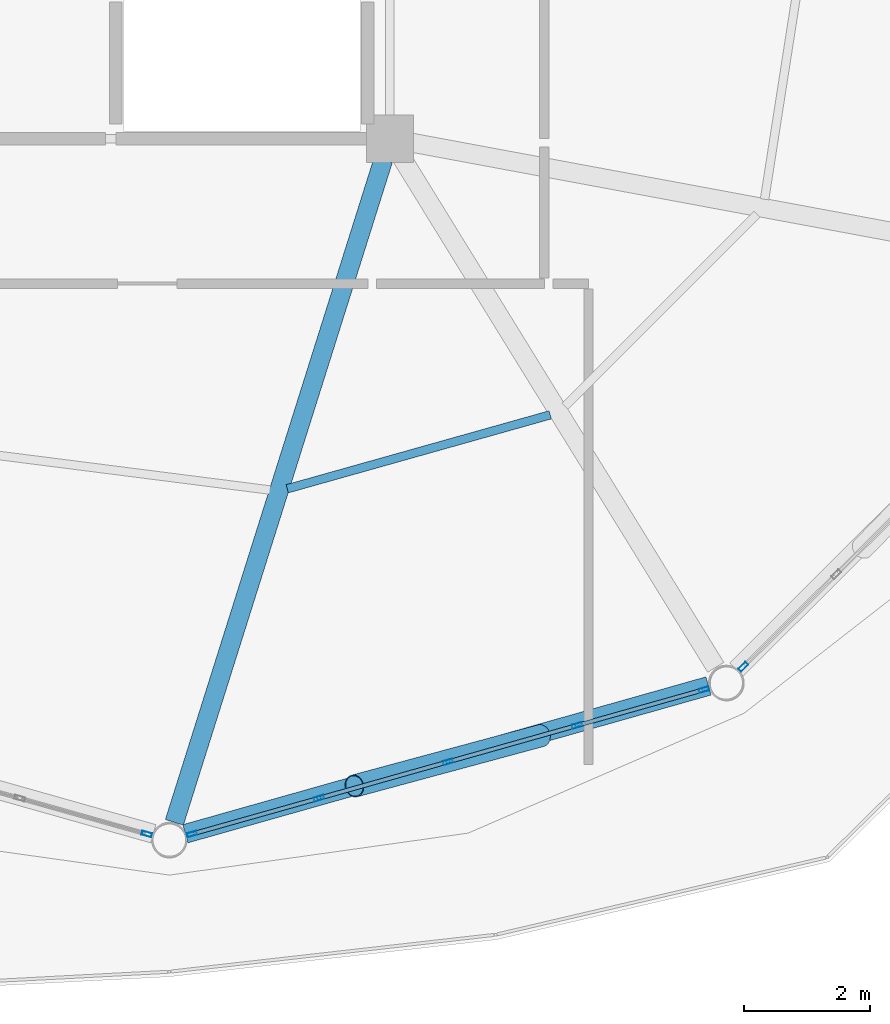
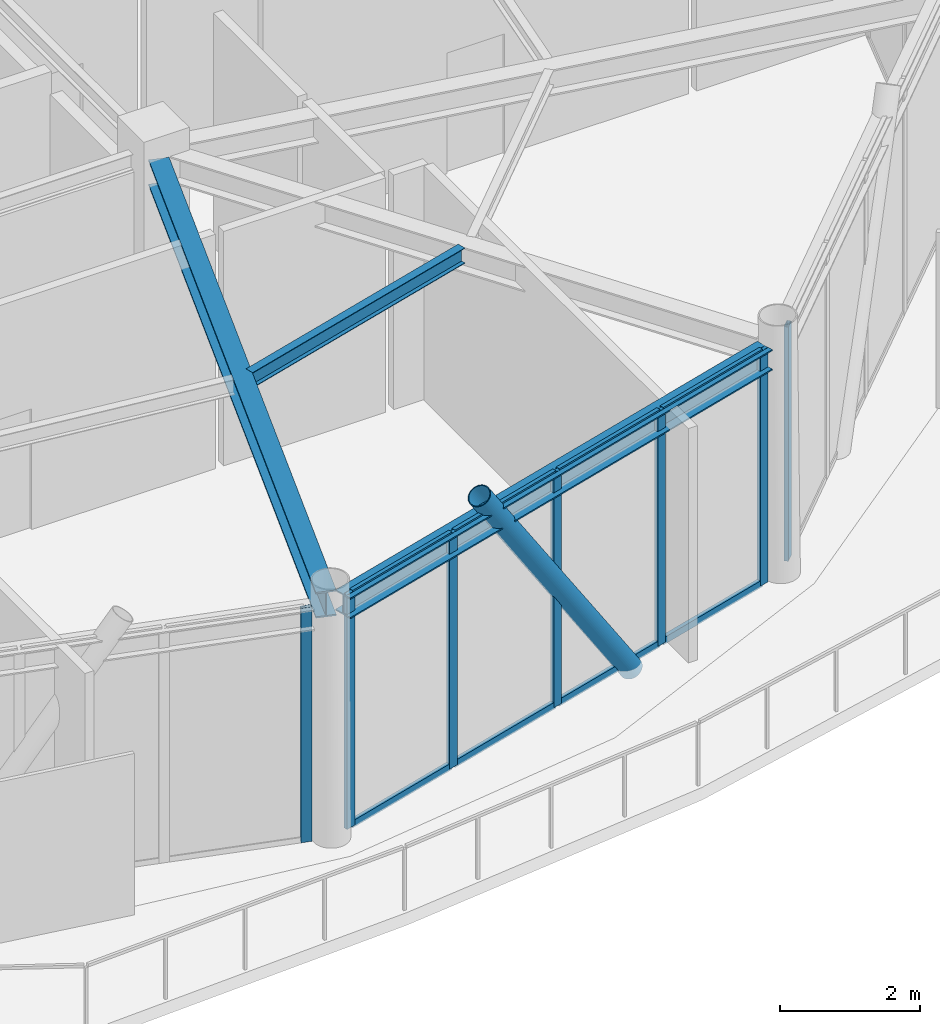
# One storey, part 6 of 24: 16 members, 3 beams, 3 elements without a shape of their own.
"""IFC4 building model written with IfcOpenShell, lengths in metres."""

from ifc_helpers import new_model, si_unit, direction, frame, origin, origin_2d, place, context, subcontext, project, spatial, hollow_rectangle, hollow_circle, i_section, extrude, material, layer, layer_set, material_profile, profile_set, type_object, element, aggregate, save


model = new_model("IFC4")

# Units and contexts
model_context = context("Model", 3, precision=1e-05, world=origin(), true_north=direction((0.0, 1.0)))
body_context = subcontext(model_context, "Body", "Model", "MODEL_VIEW")
ifc_project = project(units=[si_unit("LENGTHUNIT", "METRE"), si_unit("AREAUNIT", "SQUARE_METRE"), si_unit("VOLUMEUNIT", "CUBIC_METRE"), si_unit("PLANEANGLEUNIT", "RADIAN"), si_unit("MASSUNIT", "GRAM", prefix="KILO")], contexts=[model_context])

# Site, building, storey
site_placement = place(None, origin())
site = spatial("IfcSite", under=ifc_project, at=site_placement, CompositionType="ELEMENT")
building_placement = place(site_placement, origin())
building = spatial("IfcBuilding", under=site, at=building_placement, Name="Varnakorn Sky Granary", CompositionType="ELEMENT")
storey_placement = place(building_placement, frame((0.0, 0.0, 285.0)))
storey = spatial("IfcBuildingStorey", under=building, at=storey_placement, Name="L73", CompositionType="ELEMENT", Elevation=285.0)

# Beams
ifc_material_1 = material(Name="Steel S355JR", Category="steel")
ifc_material_profile_1 = material_profile(ifc_material_1, i_section(OverallWidth=0.300048828125, OverallDepth=0.449951171875, WebThickness=0.013916015625, FlangeThickness=0.02587890625, at=origin_2d()), Name="HE 450 B")
ifc_profile_set_1 = profile_set([ifc_material_profile_1], Name="Steel S355JR")
beam_type_1 = type_object("IfcBeamType", Name="BM-RAD-Z5", PredefinedType="BEAM", material=ifc_profile_set_1)
beam_1_placement = place(storey_placement, frame((8.2431640625, -6.938720703125, 3.85498046875), z_axis=(-0.300725219232, -0.953710827514, 0.0), x_axis=(0.953710827514, -0.300725219232, 0.0)))
element("IfcBeam", 1, at=beam_1_placement, inside=storey, type_object=beam_type_1, Name="Radial Floor Girder RG10 L73", PredefinedType="BEAM", context=body_context, shape_type="SweptSolid", body=[
    extrude(i_section(OverallWidth=0.300048828125, OverallDepth=0.449951171875, WebThickness=0.013916015625, FlangeThickness=0.02587890625, at=origin_2d()), origin(), (0.0, 0.0, 1.0), 11.01904296875),
])
ifc_material_profile_2 = material_profile(ifc_material_1, i_section(OverallWidth=0.135009765625, OverallDepth=0.27001953125, WebThickness=0.006591796875, FlangeThickness=0.01025390625, at=origin_2d()), Name="IPE 270")
ifc_profile_set_2 = profile_set([ifc_material_profile_2], Name="Steel S355JR")
beam_type_2 = type_object("IfcBeamType", Name="BM-SEC-Z5", PredefinedType="BEAM", material=ifc_profile_set_2)
beam_2_placement = place(storey_placement, frame((6.72119140625, -12.1552734375, 3.945068359375), z_axis=(0.962657364387, 0.270722734161, 0.0), x_axis=(-0.270722734161, 0.962657364387, 0.0)))
element("IfcBeam", 2, at=beam_2_placement, inside=storey, type_object=beam_type_2, Name="Secondary Floor Chord Beam MSB10 L73", PredefinedType="BEAM", context=body_context, shape_type="SweptSolid", body=[
    extrude(i_section(OverallWidth=0.135009765625, OverallDepth=0.27001953125, WebThickness=0.006591796875, FlangeThickness=0.01025390625, at=origin_2d()), origin(), (0.0, 0.0, 1.0), 4.333251953125),
])
ifc_material_profile_3 = material_profile(ifc_material_1, i_section(OverallWidth=0.300048828125, OverallDepth=0.360107421875, WebThickness=0.012451171875, FlangeThickness=0.0224609375, at=origin_2d()), Name="HE 360 B")
ifc_profile_set_3 = profile_set([ifc_material_profile_3], Name="Steel S355JR")
beam_type_3 = type_object("IfcBeamType", Name="BM-SPD-Z5", PredefinedType="SPANDREL", material=ifc_profile_set_3)
beam_3_placement = place(storey_placement, frame((5.1044921875, -17.628173828125, 3.89990234375), z_axis=(0.962332754914, 0.271874362197, 0.0), x_axis=(-0.271874362197, 0.962332754914, 0.0)))
element("IfcBeam", 3, at=beam_3_placement, inside=storey, type_object=beam_type_3, Name="Perimeter Spandrel Ring Beam RB10 L73", PredefinedType="SPANDREL", context=body_context, shape_type="SweptSolid", body=[
    extrude(i_section(OverallWidth=0.300048828125, OverallDepth=0.360107421875, WebThickness=0.012451171875, FlangeThickness=0.0224609375, at=origin_2d()), origin(), (0.0, 0.0, 1.0), 8.623291015625),
])

# Curtain wall, member
ifc_material_2 = material(Name="Anodised Bronze Aluminium Alloy 6063-T6", Category="aluminium")
ifc_layer = layer(ifc_material_2, 0.159912109375, Name="Anodised Bronze Aluminium Alloy 6063-T6")
ifc_layer_set = layer_set([ifc_layer], Name="Anodised Bronze Aluminium Alloy 6063-T6")
curtain_wall_type = type_object("IfcCurtainWallType", Name="CW-OFF-1", PredefinedType="USERDEFINED", material=ifc_layer_set)
curtain_wall_1_placement = place(storey_placement, origin())
curtain_wall_1 = element("IfcCurtainWall", 4, at=curtain_wall_1_placement, inside=storey, type_object=curtain_wall_type, Name="Unitised Curtain Wall CW6 CW-L73-B09", ObjectType="CURTAIN WALL", PredefinedType="USERDEFINED")
ifc_material_profile_4 = material_profile(ifc_material_2, hollow_rectangle(XDim=0.06494140625, YDim=0.159912109375, WallThickness=0.00341796875, at=origin_2d()), Name="ALU MULL 65x160")
ifc_profile_set_4 = profile_set([ifc_material_profile_4], Name="Anodised Bronze Aluminium Alloy 6063-T6")
member_type_1 = type_object("IfcMemberType", Name="CW-OFF-1-MULL", PredefinedType="MULLION", material=ifc_profile_set_4)
member_1_placement = place(storey_placement, frame((4.491943359375, -17.633056640625, 0.0), z_axis=(0.0, 0.0, 1.0), x_axis=(-0.271372217369, -0.962474477397, 0.0)))
member_1 = element("IfcMember", 5, at=member_1_placement, type_object=member_type_1, Name="CW6 mullion 1", PredefinedType="MULLION", context=body_context, shape_type="SweptSolid", body=[
    extrude(hollow_rectangle(XDim=0.06494140625, YDim=0.159912109375, WallThickness=0.00341796875, at=origin_2d()), origin(), (0.0, 0.0, 1.0), 4.080078125),
])
aggregate(curtain_wall_1, [member_1])

# Curtain wall, members
curtain_wall_2_placement = place(storey_placement, origin())
curtain_wall_2 = element("IfcCurtainWall", 6, at=curtain_wall_2_placement, inside=storey, type_object=curtain_wall_type, Name="Unitised Curtain Wall CW6 CW-L73-B10", ObjectType="CURTAIN WALL", PredefinedType="USERDEFINED")
member_2_placement = place(storey_placement, frame((13.33349609375, -15.342041015625, 0.0), z_axis=(0.0, 0.0, 1.0), x_axis=(0.271372217369, -0.962474477397, 0.0)))
member_2 = element("IfcMember", 7, at=member_2_placement, type_object=member_type_1, Name="CW6 mullion 1", PredefinedType="MULLION", context=body_context, shape_type="SweptSolid", body=[
    extrude(hollow_rectangle(XDim=0.06494140625, YDim=0.159912109375, WallThickness=0.00341796875, at=origin_2d()), origin(), (0.0, 0.0, 1.0), 4.080078125),
])
member_3_placement = place(storey_placement, frame((11.317626953125, -15.910400390625, 0.0), z_axis=(0.0, 0.0, 1.0), x_axis=(0.271372217369, -0.962474477397, 0.0)))
member_3 = element("IfcMember", 8, at=member_3_placement, type_object=member_type_1, Name="CW6 mullion 2", PredefinedType="MULLION", context=body_context, shape_type="SweptSolid", body=[
    extrude(hollow_rectangle(XDim=0.06494140625, YDim=0.159912109375, WallThickness=0.00341796875, at=origin_2d()), origin(), (0.0, 0.0, 1.0), 4.080078125),
])
member_4_placement = place(storey_placement, frame((9.270751953125, -16.487548828125, 0.0), z_axis=(0.0, 0.0, 1.0), x_axis=(0.271372217369, -0.962474477397, 0.0)))
member_4 = element("IfcMember", 9, at=member_4_placement, type_object=member_type_1, Name="CW6 mullion 3", PredefinedType="MULLION", context=body_context, shape_type="SweptSolid", body=[
    extrude(hollow_rectangle(XDim=0.06494140625, YDim=0.159912109375, WallThickness=0.00341796875, at=origin_2d()), origin(), (0.0, 0.0, 1.0), 4.080078125),
])
member_5_placement = place(storey_placement, frame((7.223876953125, -17.064697265625, 0.0), z_axis=(0.0, 0.0, 1.0), x_axis=(0.271372217369, -0.962474477397, 0.0)))
member_5 = element("IfcMember", 10, at=member_5_placement, type_object=member_type_1, Name="CW6 mullion 4", PredefinedType="MULLION", context=body_context, shape_type="SweptSolid", body=[
    extrude(hollow_rectangle(XDim=0.06494140625, YDim=0.159912109375, WallThickness=0.00341796875, at=origin_2d()), origin(), (0.0, 0.0, 1.0), 4.080078125),
])
member_6_placement = place(storey_placement, frame((5.2080078125, -17.633056640625, 0.0), z_axis=(0.0, 0.0, 1.0), x_axis=(0.271372217369, -0.962474477397, 0.0)))
member_6 = element("IfcMember", 11, at=member_6_placement, type_object=member_type_1, Name="CW6 mullion 5", PredefinedType="MULLION", context=body_context, shape_type="SweptSolid", body=[
    extrude(hollow_rectangle(XDim=0.06494140625, YDim=0.159912109375, WallThickness=0.00341796875, at=origin_2d()), origin(), (0.0, 0.0, 1.0), 4.080078125),
])

# Curtain wall, member
curtain_wall_3_placement = place(storey_placement, origin())
curtain_wall_3 = element("IfcCurtainWall", 12, at=curtain_wall_3_placement, inside=storey, type_object=curtain_wall_type, Name="Unitised Curtain Wall CW6 CW-L73-B11", ObjectType="CURTAIN WALL", PredefinedType="USERDEFINED")
member_7_placement = place(storey_placement, frame((13.955078125, -14.978759765625, 0.0), z_axis=(0.0, 0.0, 1.0), x_axis=(0.705418921213, -0.708790621831, 0.0)))
member_7 = element("IfcMember", 13, at=member_7_placement, type_object=member_type_1, Name="CW6 mullion 5", PredefinedType="MULLION", context=body_context, shape_type="SweptSolid", body=[
    extrude(hollow_rectangle(XDim=0.06494140625, YDim=0.159912109375, WallThickness=0.00341796875, at=origin_2d()), origin(), (0.0, 0.0, 1.0), 4.080078125),
])
aggregate(curtain_wall_3, [member_7])

# Member
ifc_material_profile_5 = material_profile(ifc_material_2, hollow_rectangle(XDim=0.06494140625, YDim=0.1201171875, WallThickness=0.00341796875, at=origin_2d()), Name="ALU TRAN 65x120")
ifc_profile_set_5 = profile_set([ifc_material_profile_5], Name="Anodised Bronze Aluminium Alloy 6063-T6")
member_type_2 = type_object("IfcMemberType", Name="CW-OFF-1-TRAN", PredefinedType="USERDEFINED", material=ifc_profile_set_5)
member_8_placement = place(storey_placement, frame((13.30224609375, -15.350830078125, 0.032470703125), z_axis=(-0.962462570258, -0.271414444813, 0.0), x_axis=(0.271414444813, -0.962462570258, 0.0)))
member_8 = element("IfcMember", 14, at=member_8_placement, type_object=member_type_2, Name="CW6 transom 1.1", ObjectType="TRANSOM", PredefinedType="USERDEFINED", context=body_context, shape_type="SweptSolid", body=[
    extrude(hollow_rectangle(XDim=0.06494140625, YDim=0.1201171875, WallThickness=0.00341796875, at=origin_2d()), origin(), (0.0, 0.0, 1.0), 2.029296875),
])

member_9_placement = place(storey_placement, frame((13.30224609375, -15.350830078125, 4.047607421875), z_axis=(-0.962462570258, -0.271414444813, 0.0), x_axis=(0.271414444813, -0.962462570258, 0.0)))
member_9 = element("IfcMember", 15, at=member_9_placement, type_object=member_type_2, Name="CW6 transom 1.2", ObjectType="TRANSOM", PredefinedType="USERDEFINED", context=body_context, shape_type="SweptSolid", body=[
    extrude(hollow_rectangle(XDim=0.06494140625, YDim=0.1201171875, WallThickness=0.00341796875, at=origin_2d()), origin(), (0.0, 0.0, 1.0), 2.029296875),
])

member_10_placement = place(storey_placement, frame((11.286376953125, -15.919189453125, 0.032470703125), z_axis=(-0.962465539742, -0.271403914504, 0.0), x_axis=(0.271403914504, -0.962465539742, 0.0)))
member_10 = element("IfcMember", 16, at=member_10_placement, type_object=member_type_2, Name="CW6 transom 2.1", ObjectType="TRANSOM", PredefinedType="USERDEFINED", context=body_context, shape_type="SweptSolid", body=[
    extrude(hollow_rectangle(XDim=0.06494140625, YDim=0.1201171875, WallThickness=0.00341796875, at=origin_2d()), origin(), (0.0, 0.0, 1.0), 2.061767578125),
])

member_11_placement = place(storey_placement, frame((11.286376953125, -15.919189453125, 4.047607421875), z_axis=(-0.962465539742, -0.271403914504, 0.0), x_axis=(0.271403914504, -0.962465539742, 0.0)))
member_11 = element("IfcMember", 17, at=member_11_placement, type_object=member_type_2, Name="CW6 transom 2.2", ObjectType="TRANSOM", PredefinedType="USERDEFINED", context=body_context, shape_type="SweptSolid", body=[
    extrude(hollow_rectangle(XDim=0.06494140625, YDim=0.1201171875, WallThickness=0.00341796875, at=origin_2d()), origin(), (0.0, 0.0, 1.0), 2.061767578125),
])

member_12_placement = place(storey_placement, frame((9.239501953125, -16.496337890625, 0.032470703125), z_axis=(-0.962465539742, -0.271403914504, 0.0), x_axis=(0.271403914504, -0.962465539742, 0.0)))
member_12 = element("IfcMember", 18, at=member_12_placement, type_object=member_type_2, Name="CW6 transom 3.1", ObjectType="TRANSOM", PredefinedType="USERDEFINED", context=body_context, shape_type="SweptSolid", body=[
    extrude(hollow_rectangle(XDim=0.06494140625, YDim=0.1201171875, WallThickness=0.00341796875, at=origin_2d()), origin(), (0.0, 0.0, 1.0), 2.061767578125),
])

member_13_placement = place(storey_placement, frame((9.239501953125, -16.496337890625, 4.047607421875), z_axis=(-0.962465539742, -0.271403914504, 0.0), x_axis=(0.271403914504, -0.962465539742, 0.0)))
member_13 = element("IfcMember", 19, at=member_13_placement, type_object=member_type_2, Name="CW6 transom 3.2", ObjectType="TRANSOM", PredefinedType="USERDEFINED", context=body_context, shape_type="SweptSolid", body=[
    extrude(hollow_rectangle(XDim=0.06494140625, YDim=0.1201171875, WallThickness=0.00341796875, at=origin_2d()), origin(), (0.0, 0.0, 1.0), 2.061767578125),
])

member_14_placement = place(storey_placement, frame((7.1923828125, -17.073486328125, 0.032470703125), z_axis=(-0.962462570258, -0.271414444813, 0.0), x_axis=(0.271414444813, -0.962462570258, 0.0)))
member_14 = element("IfcMember", 20, at=member_14_placement, type_object=member_type_2, Name="CW6 transom 4.1", ObjectType="TRANSOM", PredefinedType="USERDEFINED", context=body_context, shape_type="SweptSolid", body=[
    extrude(hollow_rectangle(XDim=0.06494140625, YDim=0.1201171875, WallThickness=0.00341796875, at=origin_2d()), origin(), (0.0, 0.0, 1.0), 2.029296875),
])

member_15_placement = place(storey_placement, frame((7.1923828125, -17.073486328125, 4.047607421875), z_axis=(-0.962462570258, -0.271414444813, 0.0), x_axis=(0.271414444813, -0.962462570258, 0.0)))
member_15 = element("IfcMember", 21, at=member_15_placement, type_object=member_type_2, Name="CW6 transom 4.2", ObjectType="TRANSOM", PredefinedType="USERDEFINED", context=body_context, shape_type="SweptSolid", body=[
    extrude(hollow_rectangle(XDim=0.06494140625, YDim=0.1201171875, WallThickness=0.00341796875, at=origin_2d()), origin(), (0.0, 0.0, 1.0), 2.029296875),
])

aggregate(curtain_wall_2, [member_2, member_3, member_4, member_5, member_6, member_8, member_9, member_10, member_11, member_12, member_13, member_14, member_15])

ifc_material_3 = material(Name="Steel S460M", Category="steel")
ifc_material_profile_6 = material_profile(ifc_material_3, hollow_circle(Radius=0.177734375, WallThickness=0.01416015625, at=origin_2d()), Name="CHS 355.6x14")
ifc_profile_set_6 = profile_set([ifc_material_profile_6], Name="Steel S460M")
member_type_3 = type_object("IfcMemberType", Name="MB-DIAG-T5", PredefinedType="BRACE", material=ifc_profile_set_6)
member_16_placement = place(storey_placement, frame((10.744384765625, -16.072021484375, -0.1298828125), z_axis=(-0.541783634141, -0.14624313148, 0.827697674439), x_axis=(0.260601990621, -0.965446322943, 0.0)))
element("IfcMember", 22, at=member_16_placement, inside=storey, type_object=member_type_3, Name="Perimeter CHS Diagrid Brace DG10 L73", PredefinedType="BRACE", context=body_context, shape_type="SweptSolid", body=[
    extrude(hollow_circle(Radius=0.177734375, WallThickness=0.01416015625, at=origin_2d()), origin(), (0.0, 0.0, 1.0), 5.460693359375),
])

save(model, "model.ifc")
